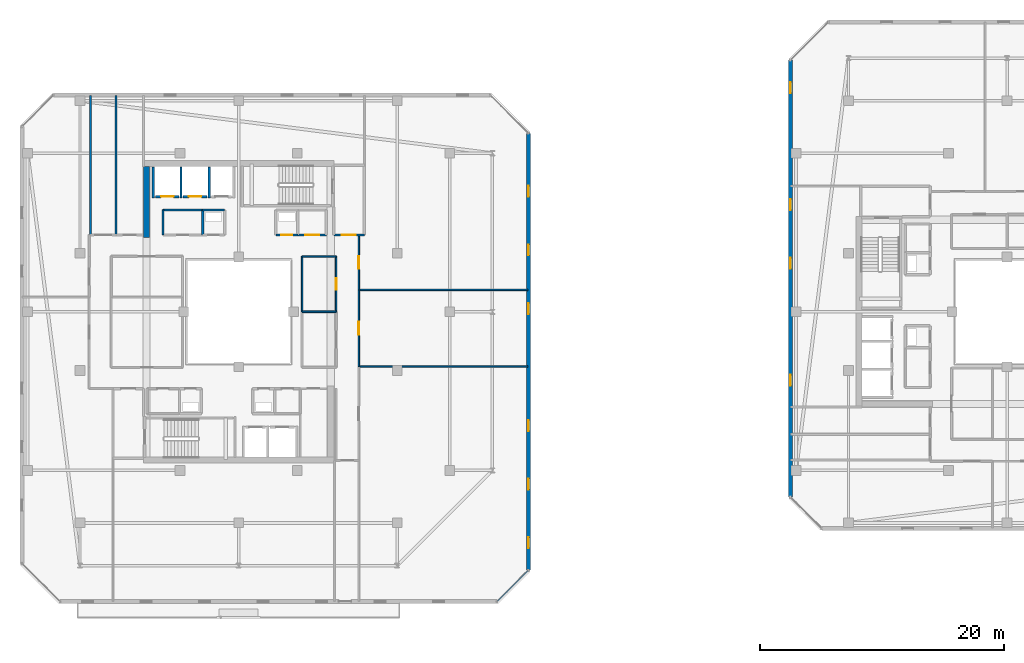
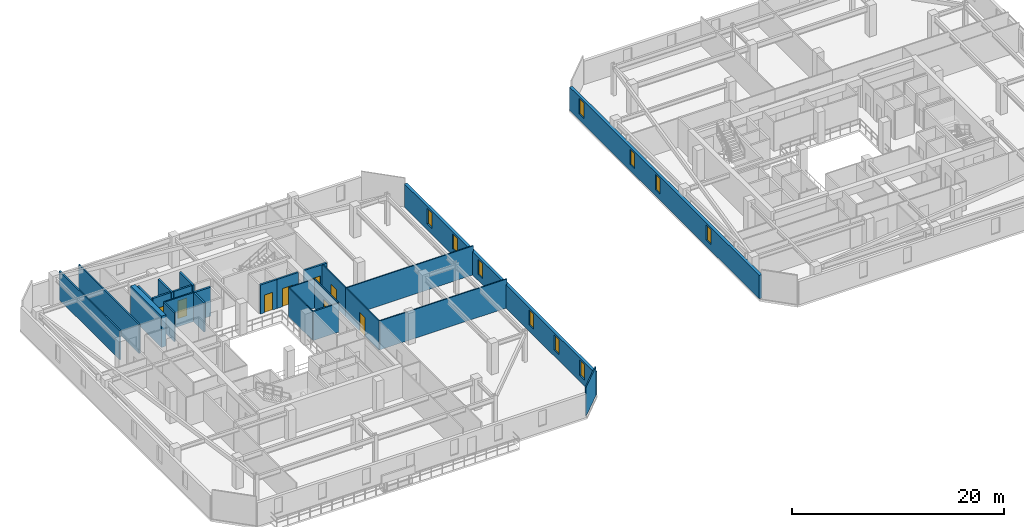
# One storey, part 23 of 35: 26 walls, 10 windows, 8 doors, 18 openings.
"""IFC4 building model written with IfcOpenShell, lengths in metres."""

from ifc_helpers import new_model, si_unit, direction, frame, frame_2d, origin, place, context, subcontext, project, spatial, rectangle, extrude, material, layer, layer_set, type_object, element, fill, save


model = new_model("IFC4")

# Units and contexts
model_context = context("Model", 3, precision=1e-05, world=origin(), true_north=direction((0.0, 1.0)))
body_context = subcontext(model_context, "Body", "Model", "MODEL_VIEW")
ifc_project = project(units=[si_unit("LENGTHUNIT", "METRE"), si_unit("AREAUNIT", "SQUARE_METRE"), si_unit("VOLUMEUNIT", "CUBIC_METRE"), si_unit("PLANEANGLEUNIT", "RADIAN"), si_unit("MASSUNIT", "GRAM", prefix="KILO")], contexts=[model_context])

# Site, building, storey
site_placement = place(None, origin())
site = spatial("IfcSite", under=ifc_project, at=site_placement, CompositionType="ELEMENT")
building_placement = place(site_placement, origin())
building = spatial("IfcBuilding", under=site, at=building_placement, Name="Thornwick Lancets Civic Towers", CompositionType="ELEMENT")
storey_placement = place(building_placement, frame((0.0, 0.0, 269.10009765625)))
storey = spatial("IfcBuildingStorey", under=building, at=storey_placement, Name="L72", CompositionType="ELEMENT", Elevation=269.10009765625)

# Wall, opening, door
ifc_material_1 = material(Name="Concrete blockwork C40/50", Category="masonry")
ifc_layer_1 = layer(ifc_material_1, 0.199951171875, Name="Concrete blockwork C40/50")
ifc_layer_set_1 = layer_set([ifc_layer_1], Name="Concrete blockwork C40/50")
wall_type_1 = type_object("IfcWallType", Name="WALL_COMP_200", PredefinedType="STANDARD", material=ifc_layer_set_1)
wall_1_placement = place(storey_placement, frame((22.919921875, 36.449951171875, 0.0), z_axis=(0.0, 0.0, 1.0), x_axis=(-1.0, 0.0, 0.0)))
wall_1 = element("IfcWall", 1, at=wall_1_placement, inside=storey, type_object=wall_type_1, Name="L72 Hoistway Front Wall PL-AH2", PredefinedType="STANDARD", context=body_context, shape_type="SweptSolid", body=[
    extrude(rectangle(XDim=1.989990234375, YDim=0.199951171875, at=frame_2d((0.9951171875, 0.0))), origin(), (0.0, 0.0, 1.0), 3.33984375),
])
opening_1_placement = place(wall_1_placement, frame((0.485107421875, 0.0, 0.0)))
opening_1 = element("IfcOpeningElement", 2, at=opening_1_placement, cuts=wall_1, Name="Opening LD-PL-AH2", PredefinedType="OPENING", context=body_context, shape_type="SweptSolid", body=[
    extrude(rectangle(XDim=1.02001953125, YDim=2.06005859375, at=frame_2d((0.510009765625, 1.030029296875))), frame((0.0, 0.10986328125, 0.0), z_axis=(0.0, -1.0, 0.0), x_axis=(1.0, 0.0, 0.0)), (0.0, 0.0, 1.0), 0.219970703125),
])
ifc_material_2 = material(Name="Brushed bronze stainless steel", Category="steel")
door_type_1 = type_object("IfcDoorType", Name="DOOR_LIFT_SLIDE", OperationType="SLIDING_TO_LEFT", PredefinedType="DOOR", material=ifc_material_2)
door_1_placement = place(opening_1_placement, origin())
door_1 = element("IfcDoor", 3, at=door_1_placement, inside=storey, type_object=door_type_1, Name="L72 Sliding Lift Landing Door LD-PL-AH2", OperationType="SLIDING_TO_LEFT", OverallHeight=2.06005859375, OverallWidth=1.02001953125, PredefinedType="DOOR", context=body_context, shape_type="SweptSolid", body=[
    extrude(rectangle(XDim=1.02001953125, YDim=2.06005859375, at=frame_2d((0.510009765625, 1.030029296875))), frame((0.0, 0.02490234375, 0.0), z_axis=(0.0, -1.0, 0.0), x_axis=(1.0, 0.0, 0.0)), (0.0, 0.0, 1.0), 0.050048828125),
])
fill(opening_1, door_1)

wall_2_placement = place(storey_placement, frame((20.6201171875, 36.449951171875, 0.0), z_axis=(0.0, 0.0, 1.0), x_axis=(-1.0, 0.0, 0.0)))
wall_2 = element("IfcWall", 4, at=wall_2_placement, inside=storey, type_object=wall_type_1, Name="L72 Hoistway Front Wall PL-AH3", PredefinedType="STANDARD", context=body_context, shape_type="SweptSolid", body=[
    extrude(rectangle(XDim=1.940185546875, YDim=0.199951171875, at=frame_2d((0.97021484375, 0.0))), origin(), (0.0, 0.0, 1.0), 3.33984375),
])
opening_2_placement = place(wall_2_placement, frame((0.4599609375, 0.0, 0.0)))
opening_2 = element("IfcOpeningElement", 5, at=opening_2_placement, cuts=wall_2, Name="Opening LD-PL-AH3", PredefinedType="OPENING", context=body_context, shape_type="SweptSolid", body=[
    extrude(rectangle(XDim=1.02001953125, YDim=2.06005859375, at=frame_2d((0.510009765625, 1.030029296875))), frame((0.0, 0.10986328125, 0.0), z_axis=(0.0, -1.0, 0.0), x_axis=(1.0, 0.0, 0.0)), (0.0, 0.0, 1.0), 0.219970703125),
])
door_2_placement = place(opening_2_placement, origin())
door_2 = element("IfcDoor", 6, at=door_2_placement, inside=storey, type_object=door_type_1, Name="L72 Sliding Lift Landing Door LD-PL-AH3", OperationType="SLIDING_TO_LEFT", OverallHeight=2.06005859375, OverallWidth=1.02001953125, PredefinedType="DOOR", context=body_context, shape_type="SweptSolid", body=[
    extrude(rectangle(XDim=1.02001953125, YDim=2.06005859375, at=frame_2d((0.510009765625, 1.030029296875))), frame((0.0, 0.02490234375, 0.0), z_axis=(0.0, -1.0, 0.0), x_axis=(1.0, 0.0, 0.0)), (0.0, 0.0, 1.0), 0.050048828125),
])
fill(opening_2, door_2)

# Walls
for number, where, z_axis, x_axis, name in (
    (7, (23.10009765625, 36.35205078125, 0.0), (0.0, 0.0, 1.0), (0.0, 1.0, 0.0), "L72 Hoistway Shaft Wall FL-A2 W"),
    (8, (20.77490234375, 36.35205078125, 0.0), (0.0, 0.0, 1.0), (0.0, 1.0, 0.0), "L72 Hoistway Shaft Wall PL-AH2 W"),
    (9, (18.5, 36.35205078125, 0.0), (0.0, 0.0, 1.0), (0.0, 1.0, 0.0), "L72 Hoistway Shaft Wall PL-AH3 W"),
):
    element("IfcWall", number, at=place(storey_placement, frame(where, z_axis=z_axis, x_axis=x_axis)), inside=storey, type_object=wall_type_1, Name=name, PredefinedType="STANDARD", context=body_context, shape_type="SweptSolid", body=[
        extrude(rectangle(XDim=2.535888671875, YDim=0.199951171875, at=frame_2d((1.26806640625, 0.0))), origin(), (0.0, 0.0, 1.0), 3.33984375),
    ])

# Wall, opening, door
wall_3_placement = place(storey_placement, frame((33.300048828125, 33.300048828125, 0.0), z_axis=(0.0, 0.0, 1.0), x_axis=(1.0, 0.0, 0.0)))
wall_3 = element("IfcWall", 10, at=wall_3_placement, inside=storey, type_object=wall_type_1, Name="L72 Partition L72-A-FFLOB2 E1", PredefinedType="STANDARD", context=body_context, shape_type="SweptSolid", body=[
    extrude(rectangle(XDim=2.5, YDim=0.199951171875, at=frame_2d((1.25, 0.0))), origin(), (0.0, 0.0, 1.0), 3.33984375),
])
opening_3_placement = place(wall_3_placement, frame((0.659912109375, 0.0, 0.0)))
opening_3 = element("IfcOpeningElement", 11, at=opening_3_placement, cuts=wall_3, Name="Opening D-L72-3278", PredefinedType="OPENING", context=body_context, shape_type="SweptSolid", body=[
    extrude(rectangle(XDim=1.14990234375, YDim=2.10009765625, at=frame_2d((0.574951171875, 1.050048828125))), frame((0.0, 0.10986328125, 0.0), z_axis=(0.0, -1.0, 0.0), x_axis=(1.0, 0.0, 0.0)), (0.0, 0.0, 1.0), 0.219970703125),
])
ifc_material_3 = material(Name="Glazed fire-resisting steel", Category="steel")
door_type_2 = type_object("IfcDoorType", Name="DOOR_LOBBY_FD60", OperationType="NOTDEFINED", PredefinedType="DOOR", material=ifc_material_3)
door_3_placement = place(opening_3_placement, origin())
door_3 = element("IfcDoor", 12, at=door_3_placement, inside=storey, type_object=door_type_2, Name="L72 North Firefighting Lobby 2 Door", OperationType="SINGLE_SWING_LEFT", OverallHeight=2.10009765625, OverallWidth=1.14990234375, PredefinedType="DOOR", context=body_context, shape_type="SweptSolid", body=[
    extrude(rectangle(XDim=1.14990234375, YDim=2.10009765625, at=frame_2d((0.574951171875, 1.050048828125))), frame((0.0, 0.02490234375, 0.0), z_axis=(0.0, -1.0, 0.0), x_axis=(1.0, 0.0, 0.0)), (0.0, 0.0, 1.0), 0.050048828125),
])
fill(opening_3, door_3)

# Walls
wall_4_placement = place(storey_placement, frame((24.35009765625, 35.35009765625, 0.0), z_axis=(0.0, 0.0, 1.0), x_axis=(-1.0, 0.0, 0.0)))
element("IfcWall", 13, at=wall_4_placement, inside=storey, type_object=wall_type_1, Name="L72 Partition L72-A-DUCT2 E3", PredefinedType="STANDARD", context=body_context, shape_type="SweptSolid", body=[
    extrude(rectangle(XDim=1.800048828125, YDim=0.199951171875, at=frame_2d((0.89990234375, 0.0))), origin(), (0.0, 0.0, 1.0), 3.33984375),
])
wall_5_placement = place(storey_placement, frame((22.550048828125, 35.35009765625, 0.0), z_axis=(0.0, 0.0, 1.0), x_axis=(0.0, -1.0, 0.0)))
element("IfcWall", 14, at=wall_5_placement, inside=storey, type_object=wall_type_1, Name="L72 Partition L72-A-DUCT2 E4", PredefinedType="STANDARD", context=body_context, shape_type="SweptSolid", body=[
    extrude(rectangle(XDim=2.050048828125, YDim=0.199951171875, at=frame_2d((1.02490234375, 0.0))), origin(), (0.0, 0.0, 1.0), 3.33984375),
])

# Wall, opening, door
wall_6_placement = place(storey_placement, frame((28.550048828125, 33.300048828125, 0.0), z_axis=(0.0, 0.0, 1.0), x_axis=(1.0, 0.0, 0.0)))
wall_6 = element("IfcWall", 15, at=wall_6_placement, inside=storey, type_object=wall_type_1, Name="L72 Partition L72-A-RISER2 E1", PredefinedType="STANDARD", context=body_context, shape_type="SweptSolid", body=[
    extrude(rectangle(XDim=1.800048828125, YDim=0.199951171875, at=frame_2d((0.89990234375, 0.0))), origin(), (0.0, 0.0, 1.0), 3.33984375),
])
opening_4_placement = place(wall_6_placement, frame((0.4599609375, 0.0, 0.0)))
opening_4 = element("IfcOpeningElement", 16, at=opening_4_placement, cuts=wall_6, Name="Opening D-L72-3282", PredefinedType="OPENING", context=body_context, shape_type="SweptSolid", body=[
    extrude(rectangle(XDim=0.8798828125, YDim=2.0400390625, at=frame_2d((0.43994140625, 1.02001953125))), frame((0.0, 0.10986328125, 0.0), z_axis=(0.0, -1.0, 0.0), x_axis=(1.0, 0.0, 0.0)), (0.0, 0.0, 1.0), 0.219970703125),
])
ifc_material_4 = material(Name="Steel riser access doorset", Category="steel")
door_type_3 = type_object("IfcDoorType", Name="DOOR_RISER_850", OperationType="NOTDEFINED", PredefinedType="DOOR", material=ifc_material_4)
door_4_placement = place(opening_4_placement, origin())
door_4 = element("IfcDoor", 17, at=door_4_placement, inside=storey, type_object=door_type_3, Name="L72 North Service Riser 2 Door", OperationType="SINGLE_SWING_LEFT", OverallHeight=2.0400390625, OverallWidth=0.8798828125, PredefinedType="DOOR", context=body_context, shape_type="SweptSolid", body=[
    extrude(rectangle(XDim=0.8798828125, YDim=2.0400390625, at=frame_2d((0.43994140625, 1.02001953125))), frame((0.0, 0.02490234375, 0.0), z_axis=(0.0, -1.0, 0.0), x_axis=(1.0, 0.0, 0.0)), (0.0, 0.0, 1.0), 0.050048828125),
])
fill(opening_4, door_4)

wall_7_placement = place(storey_placement, frame((32.699951171875, 33.300048828125, 0.0), z_axis=(0.0, 0.0, 1.0), x_axis=(-1.0, 0.0, 0.0)))
wall_7 = element("IfcWall", 18, at=wall_7_placement, inside=storey, type_object=wall_type_1, Name="L72 Partition L72-A-STR E2", PredefinedType="STANDARD", context=body_context, shape_type="SweptSolid", body=[
    extrude(rectangle(XDim=2.349853515625, YDim=0.199951171875, at=frame_2d((1.1748046875, 0.0))), origin(), (0.0, 0.0, 1.0), 3.33984375),
])
opening_5_placement = place(wall_7_placement, frame((0.60009765625, 0.0, 0.0)))
opening_5 = element("IfcOpeningElement", 19, at=opening_5_placement, cuts=wall_7, Name="Opening D-L72-3287", PredefinedType="OPENING", context=body_context, shape_type="SweptSolid", body=[
    extrude(rectangle(XDim=1.14990234375, YDim=2.10009765625, at=frame_2d((0.574951171875, 1.050048828125))), frame((0.0, 0.10986328125, 0.0), z_axis=(0.0, -1.0, 0.0), x_axis=(1.0, 0.0, 0.0)), (0.0, 0.0, 1.0), 0.219970703125),
])
door_5_placement = place(opening_5_placement, origin())
door_5 = element("IfcDoor", 20, at=door_5_placement, inside=storey, type_object=door_type_2, Name="L72 Tower A Core Equipment Store Door", OperationType="SINGLE_SWING_RIGHT", OverallHeight=2.10009765625, OverallWidth=1.14990234375, PredefinedType="DOOR", context=body_context, shape_type="SweptSolid", body=[
    extrude(rectangle(XDim=1.14990234375, YDim=2.10009765625, at=frame_2d((0.574951171875, 1.050048828125))), frame((0.0, 0.02490234375, 0.0), z_axis=(0.0, -1.0, 0.0), x_axis=(1.0, 0.0, 0.0)), (0.0, 0.0, 1.0), 0.050048828125),
])
fill(opening_5, door_5)

# Wall
ifc_material_5 = material(Name="Concrete C50/60", Category="concrete")
ifc_layer_2 = layer(ifc_material_5, 0.5, Name="Concrete C50/60")
ifc_layer_set_2 = layer_set([ifc_layer_2], Name="Concrete C50/60")
wall_type_2 = type_object("IfcWallType", Name="WALL_CORE_500", PredefinedType="SHEAR", material=ifc_layer_set_2)
wall_8_placement = place(storey_placement, frame((17.949951171875, 33.10009765625, 0.0), z_axis=(0.0, 0.0, 1.0), x_axis=(0.0, 1.0, 0.0)))
element("IfcWall", 21, at=wall_8_placement, inside=storey, type_object=wall_type_2, Name="L72 Split Core A2 Shear Wall W", PredefinedType="SHEAR", context=body_context, shape_type="SweptSolid", body=[
    extrude(rectangle(XDim=5.7998046875, YDim=0.5, at=frame_2d((2.89990234375, 0.0))), origin(), (0.0, 0.0, 1.0), 3.599853515625),
])

# Wall, openings, windows
ifc_material_6 = material(Name="Insulated buff terracotta rainscreen on concrete C40/50", Category="masonry")
ifc_layer_3 = layer(ifc_material_6, 0.320068359375, Name="Insulated buff terracotta rainscreen on concrete C40/50")
ifc_layer_set_3 = layer_set([ifc_layer_3], Name="Insulated buff terracotta rainscreen on concrete C40/50")
wall_type_3 = type_object("IfcWallType", Name="WALL_EXT_TERRA_320", PredefinedType="STANDARD", material=ifc_layer_set_3)
wall_9_placement = place(storey_placement, frame((49.2646484375, 5.818603515625, 0.0), z_axis=(0.0, 0.0, 1.0), x_axis=(-5.4540124e-05, 0.999999998513, 0.0)))
wall_9 = element("IfcWall", 22, at=wall_9_placement, inside=storey, type_object=wall_type_3, Name="L72 Tower A Terracotta Facade Wall E2", PredefinedType="STANDARD", context=body_context, shape_type="SweptSolid", body=[
    extrude(rectangle(XDim=35.810791015625, YDim=0.320068359375, at=frame_2d((17.9052734375, 0.0))), origin(), (0.0, 0.0, 1.0), 2.699951171875),
])
opening_6_placement = place(wall_9_placement, frame((1.800048828125, 0.0, 0.719970703125)))
opening_6 = element("IfcOpeningElement", 23, at=opening_6_placement, cuts=wall_9, Name="Opening WL-01", PredefinedType="OPENING", context=body_context, shape_type="SweptSolid", body=[
    extrude(rectangle(XDim=0.89990234375, YDim=1.75, at=frame_2d((0.449951171875, 0.875))), frame((0.0, 0.169921875, 0.0), z_axis=(0.0, -1.0, 0.0), x_axis=(1.0, 0.0, 0.0)), (0.0, 0.0, 1.0), 0.340087890625),
])
opening_7_placement = place(wall_9_placement, frame((6.60009765625, 0.0, 0.719970703125)))
opening_7 = element("IfcOpeningElement", 24, at=opening_7_placement, cuts=wall_9, Name="Opening WL-01", PredefinedType="OPENING", context=body_context, shape_type="SweptSolid", body=[
    extrude(rectangle(XDim=0.89990234375, YDim=1.75, at=frame_2d((0.449951171875, 0.875))), frame((0.0, 0.169921875, 0.0), z_axis=(0.0, -1.0, 0.0), x_axis=(1.0, 0.0, 0.0)), (0.0, 0.0, 1.0), 0.340087890625),
])
opening_8_placement = place(wall_9_placement, frame((11.39990234375, 0.0, 0.719970703125)))
opening_8 = element("IfcOpeningElement", 25, at=opening_8_placement, cuts=wall_9, Name="Opening WL-01", PredefinedType="OPENING", context=body_context, shape_type="SweptSolid", body=[
    extrude(rectangle(XDim=0.89990234375, YDim=1.75, at=frame_2d((0.449951171875, 0.875))), frame((0.0, 0.169921875, 0.0), z_axis=(0.0, -1.0, 0.0), x_axis=(1.0, 0.0, 0.0)), (0.0, 0.0, 1.0), 0.340087890625),
])
opening_9_placement = place(wall_9_placement, frame((21.0, 0.0, 0.719970703125)))
opening_9 = element("IfcOpeningElement", 26, at=opening_9_placement, cuts=wall_9, Name="Opening WL-01", PredefinedType="OPENING", context=body_context, shape_type="SweptSolid", body=[
    extrude(rectangle(XDim=0.89990234375, YDim=1.75, at=frame_2d((0.449951171875, 0.875))), frame((0.0, 0.169921875, 0.0), z_axis=(0.0, -1.0, 0.0), x_axis=(1.0, 0.0, 0.0)), (0.0, 0.0, 1.0), 0.340087890625),
])
opening_10_placement = place(wall_9_placement, frame((25.800048828125, 0.0, 0.719970703125)))
opening_10 = element("IfcOpeningElement", 27, at=opening_10_placement, cuts=wall_9, Name="Opening WL-01", PredefinedType="OPENING", context=body_context, shape_type="SweptSolid", body=[
    extrude(rectangle(XDim=0.89990234375, YDim=1.75, at=frame_2d((0.449951171875, 0.875))), frame((0.0, 0.169921875, 0.0), z_axis=(0.0, -1.0, 0.0), x_axis=(1.0, 0.0, 0.0)), (0.0, 0.0, 1.0), 0.340087890625),
])
opening_11_placement = place(wall_9_placement, frame((30.60009765625, 0.0, 0.719970703125)))
opening_11 = element("IfcOpeningElement", 28, at=opening_11_placement, cuts=wall_9, Name="Opening WL-01", PredefinedType="OPENING", context=body_context, shape_type="SweptSolid", body=[
    extrude(rectangle(XDim=0.89990234375, YDim=1.75, at=frame_2d((0.449951171875, 0.875))), frame((0.0, 0.169921875, 0.0), z_axis=(0.0, -1.0, 0.0), x_axis=(1.0, 0.0, 0.0)), (0.0, 0.0, 1.0), 0.340087890625),
])
ifc_material_7 = material(Name="Clear low-e double glazing in bronze frame", Category="glass")
window_type = type_object("IfcWindowType", Name="WIN_LANCET_900", PartitioningType="SINGLE_PANEL", PredefinedType="WINDOW", material=ifc_material_7)
window_1_placement = place(opening_6_placement, origin())
window_1 = element("IfcWindow", 29, at=window_1_placement, inside=storey, type_object=window_type, Name="L72 Tower A Staggered Lancet Window E2-1", OverallHeight=1.75, OverallWidth=0.89990234375, PartitioningType="SINGLE_PANEL", PredefinedType="WINDOW", context=body_context, shape_type="SweptSolid", body=[
    extrude(rectangle(XDim=0.89990234375, YDim=1.75, at=frame_2d((0.449951171875, 0.875))), frame((0.0, 0.030029296875, 0.0), z_axis=(0.0, -1.0, 0.0), x_axis=(1.0, 0.0, 0.0)), (0.0, 0.0, 1.0), 0.06005859375),
])
fill(opening_6, window_1)
window_2_placement = place(opening_7_placement, origin())
window_2 = element("IfcWindow", 30, at=window_2_placement, inside=storey, type_object=window_type, Name="L72 Tower A Staggered Lancet Window E2-2", OverallHeight=1.75, OverallWidth=0.89990234375, PartitioningType="SINGLE_PANEL", PredefinedType="WINDOW", context=body_context, shape_type="SweptSolid", body=[
    extrude(rectangle(XDim=0.89990234375, YDim=1.75, at=frame_2d((0.449951171875, 0.875))), frame((0.0, 0.030029296875, 0.0), z_axis=(0.0, -1.0, 0.0), x_axis=(1.0, 0.0, 0.0)), (0.0, 0.0, 1.0), 0.06005859375),
])
fill(opening_7, window_2)
window_3_placement = place(opening_8_placement, origin())
window_3 = element("IfcWindow", 31, at=window_3_placement, inside=storey, type_object=window_type, Name="L72 Tower A Staggered Lancet Window E2-3", OverallHeight=1.75, OverallWidth=0.89990234375, PartitioningType="SINGLE_PANEL", PredefinedType="WINDOW", context=body_context, shape_type="SweptSolid", body=[
    extrude(rectangle(XDim=0.89990234375, YDim=1.75, at=frame_2d((0.449951171875, 0.875))), frame((0.0, 0.030029296875, 0.0), z_axis=(0.0, -1.0, 0.0), x_axis=(1.0, 0.0, 0.0)), (0.0, 0.0, 1.0), 0.06005859375),
])
fill(opening_8, window_3)
window_4_placement = place(opening_9_placement, origin())
window_4 = element("IfcWindow", 32, at=window_4_placement, inside=storey, type_object=window_type, Name="L72 Tower A Staggered Lancet Window E2-4", OverallHeight=1.75, OverallWidth=0.89990234375, PartitioningType="SINGLE_PANEL", PredefinedType="WINDOW", context=body_context, shape_type="SweptSolid", body=[
    extrude(rectangle(XDim=0.89990234375, YDim=1.75, at=frame_2d((0.449951171875, 0.875))), frame((0.0, 0.030029296875, 0.0), z_axis=(0.0, -1.0, 0.0), x_axis=(1.0, 0.0, 0.0)), (0.0, 0.0, 1.0), 0.06005859375),
])
fill(opening_9, window_4)
window_5_placement = place(opening_10_placement, origin())
window_5 = element("IfcWindow", 33, at=window_5_placement, inside=storey, type_object=window_type, Name="L72 Tower A Staggered Lancet Window E2-5", OverallHeight=1.75, OverallWidth=0.89990234375, PartitioningType="SINGLE_PANEL", PredefinedType="WINDOW", context=body_context, shape_type="SweptSolid", body=[
    extrude(rectangle(XDim=0.89990234375, YDim=1.75, at=frame_2d((0.449951171875, 0.875))), frame((0.0, 0.030029296875, 0.0), z_axis=(0.0, -1.0, 0.0), x_axis=(1.0, 0.0, 0.0)), (0.0, 0.0, 1.0), 0.06005859375),
])
fill(opening_10, window_5)
window_6_placement = place(opening_11_placement, origin())
window_6 = element("IfcWindow", 34, at=window_6_placement, inside=storey, type_object=window_type, Name="L72 Tower A Staggered Lancet Window E2-6", OverallHeight=1.75, OverallWidth=0.89990234375, PartitioningType="SINGLE_PANEL", PredefinedType="WINDOW", context=body_context, shape_type="SweptSolid", body=[
    extrude(rectangle(XDim=0.89990234375, YDim=1.75, at=frame_2d((0.449951171875, 0.875))), frame((0.0, 0.030029296875, 0.0), z_axis=(0.0, -1.0, 0.0), x_axis=(1.0, 0.0, 0.0)), (0.0, 0.0, 1.0), 0.06005859375),
])
fill(opening_11, window_6)

wall_10_placement = place(storey_placement, frame((70.7373046875, 47.62939453125, 0.0), z_axis=(0.0, 0.0, 1.0), x_axis=(-5.4540124e-05, -0.999999998513, 0.0)))
wall_10 = element("IfcWall", 35, at=wall_10_placement, inside=storey, type_object=wall_type_3, Name="L72 Tower B Terracotta Facade Wall E6", PredefinedType="STANDARD", context=body_context, shape_type="SweptSolid", body=[
    extrude(rectangle(XDim=35.810791015625, YDim=0.320068359375, at=frame_2d((17.9052734375, 0.0))), origin(), (0.0, 0.0, 1.0), 2.699951171875),
])
opening_12_placement = place(wall_10_placement, frame((1.800048828125, 0.0, 0.719970703125)))
opening_12 = element("IfcOpeningElement", 36, at=opening_12_placement, cuts=wall_10, Name="Opening WL-01", PredefinedType="OPENING", context=body_context, shape_type="SweptSolid", body=[
    extrude(rectangle(XDim=0.89990234375, YDim=1.75, at=frame_2d((0.449951171875, 0.875))), frame((0.0, 0.169921875, 0.0), z_axis=(0.0, -1.0, 0.0), x_axis=(1.0, 0.0, 0.0)), (0.0, 0.0, 1.0), 0.340087890625),
])
opening_13_placement = place(wall_10_placement, frame((11.39990234375, 0.0, 0.719970703125)))
opening_13 = element("IfcOpeningElement", 37, at=opening_13_placement, cuts=wall_10, Name="Opening WL-01", PredefinedType="OPENING", context=body_context, shape_type="SweptSolid", body=[
    extrude(rectangle(XDim=0.89990234375, YDim=1.75, at=frame_2d((0.449951171875, 0.875))), frame((0.0, 0.169921875, 0.0), z_axis=(0.0, -1.0, 0.0), x_axis=(1.0, 0.0, 0.0)), (0.0, 0.0, 1.0), 0.340087890625),
])
opening_14_placement = place(wall_10_placement, frame((16.199951171875, 0.0, 0.719970703125)))
opening_14 = element("IfcOpeningElement", 38, at=opening_14_placement, cuts=wall_10, Name="Opening WL-01", PredefinedType="OPENING", context=body_context, shape_type="SweptSolid", body=[
    extrude(rectangle(XDim=0.89990234375, YDim=1.75, at=frame_2d((0.449951171875, 0.875))), frame((0.0, 0.169921875, 0.0), z_axis=(0.0, -1.0, 0.0), x_axis=(1.0, 0.0, 0.0)), (0.0, 0.0, 1.0), 0.340087890625),
])
opening_15_placement = place(wall_10_placement, frame((25.800048828125, 0.0, 0.719970703125)))
opening_15 = element("IfcOpeningElement", 39, at=opening_15_placement, cuts=wall_10, Name="Opening WL-01", PredefinedType="OPENING", context=body_context, shape_type="SweptSolid", body=[
    extrude(rectangle(XDim=0.89990234375, YDim=1.75, at=frame_2d((0.449951171875, 0.875))), frame((0.0, 0.169921875, 0.0), z_axis=(0.0, -1.0, 0.0), x_axis=(1.0, 0.0, 0.0)), (0.0, 0.0, 1.0), 0.340087890625),
])
window_7_placement = place(opening_12_placement, origin())
window_7 = element("IfcWindow", 40, at=window_7_placement, inside=storey, type_object=window_type, Name="L72 Tower B Staggered Lancet Window E6-1", OverallHeight=1.75, OverallWidth=0.89990234375, PartitioningType="SINGLE_PANEL", PredefinedType="WINDOW", context=body_context, shape_type="SweptSolid", body=[
    extrude(rectangle(XDim=0.89990234375, YDim=1.75, at=frame_2d((0.449951171875, 0.875))), frame((0.0, 0.030029296875, 0.0), z_axis=(0.0, -1.0, 0.0), x_axis=(1.0, 0.0, 0.0)), (0.0, 0.0, 1.0), 0.06005859375),
])
fill(opening_12, window_7)
window_8_placement = place(opening_13_placement, origin())
window_8 = element("IfcWindow", 41, at=window_8_placement, inside=storey, type_object=window_type, Name="L72 Tower B Staggered Lancet Window E6-2", OverallHeight=1.75, OverallWidth=0.89990234375, PartitioningType="SINGLE_PANEL", PredefinedType="WINDOW", context=body_context, shape_type="SweptSolid", body=[
    extrude(rectangle(XDim=0.89990234375, YDim=1.75, at=frame_2d((0.449951171875, 0.875))), frame((0.0, 0.030029296875, 0.0), z_axis=(0.0, -1.0, 0.0), x_axis=(1.0, 0.0, 0.0)), (0.0, 0.0, 1.0), 0.06005859375),
])
fill(opening_13, window_8)
window_9_placement = place(opening_14_placement, origin())
window_9 = element("IfcWindow", 42, at=window_9_placement, inside=storey, type_object=window_type, Name="L72 Tower B Staggered Lancet Window E6-3", OverallHeight=1.75, OverallWidth=0.89990234375, PartitioningType="SINGLE_PANEL", PredefinedType="WINDOW", context=body_context, shape_type="SweptSolid", body=[
    extrude(rectangle(XDim=0.89990234375, YDim=1.75, at=frame_2d((0.449951171875, 0.875))), frame((0.0, 0.030029296875, 0.0), z_axis=(0.0, -1.0, 0.0), x_axis=(1.0, 0.0, 0.0)), (0.0, 0.0, 1.0), 0.06005859375),
])
fill(opening_14, window_9)
window_10_placement = place(opening_15_placement, origin())
window_10 = element("IfcWindow", 43, at=window_10_placement, inside=storey, type_object=window_type, Name="L72 Tower B Staggered Lancet Window E6-4", OverallHeight=1.75, OverallWidth=0.89990234375, PartitioningType="SINGLE_PANEL", PredefinedType="WINDOW", context=body_context, shape_type="SweptSolid", body=[
    extrude(rectangle(XDim=0.89990234375, YDim=1.75, at=frame_2d((0.449951171875, 0.875))), frame((0.0, 0.030029296875, 0.0), z_axis=(0.0, -1.0, 0.0), x_axis=(1.0, 0.0, 0.0)), (0.0, 0.0, 1.0), 0.06005859375),
])
fill(opening_15, window_10)

# Walls
ifc_material_8 = material(Name="Acoustic gypsum board partition")
ifc_layer_4 = layer(ifc_material_8, 0.1201171875, Name="Acoustic gypsum board partition")
ifc_layer_set_4 = layer_set([ifc_layer_4], Name="Acoustic gypsum board partition")
wall_type_4 = type_object("IfcWallType", Name="WALL_PART_120", PredefinedType="PARTITIONING", material=ifc_layer_set_4)
wall_11_placement = place(storey_placement, frame((35.35009765625, 22.5, 0.0), z_axis=(0.0, 0.0, 1.0), x_axis=(1.0, 0.0, 0.0)))
element("IfcWall", 44, at=wall_11_placement, inside=storey, type_object=wall_type_4, Name="L72 Partition L72-A-E1 E4", PredefinedType="PARTITIONING", context=body_context, shape_type="SweptSolid", body=[
    extrude(rectangle(XDim=13.869873046875, YDim=0.1201171875, at=frame_2d((6.93505859375, 0.0))), origin(), (0.0, 0.0, 1.0), 3.33984375),
])
wall_12_placement = place(storey_placement, frame((49.219970703125, 5.774658203125, 0.0), z_axis=(0.0, 0.0, 1.0), x_axis=(-0.707106781187, -0.707106781187, 0.0)))
element("IfcWall", 45, at=wall_12_placement, inside=storey, type_object=wall_type_4, Name="L72 Partition L72-A-E1 E6", PredefinedType="PARTITIONING", context=body_context, shape_type="SweptSolid", body=[
    extrude(rectangle(XDim=3.52783203125, YDim=0.1201171875, at=frame_2d((1.763916015625, 0.0))), origin(), (0.0, 0.0, 1.0), 3.33984375),
])

# Wall, opening, door
wall_13_placement = place(storey_placement, frame((35.35009765625, 22.5, 0.0), z_axis=(0.0, 0.0, 1.0), x_axis=(0.0, 1.0, 0.0)))
wall_13 = element("IfcWall", 46, at=wall_13_placement, inside=storey, type_object=wall_type_4, Name="L72 Partition L72-A-E2 E1", PredefinedType="PARTITIONING", context=body_context, shape_type="SweptSolid", body=[
    extrude(rectangle(XDim=6.300048828125, YDim=0.1201171875, at=frame_2d((3.14990234375, 0.0))), origin(), (0.0, 0.0, 1.0), 3.33984375),
])
opening_16_placement = place(wall_13_placement, frame((2.625, 0.0, 0.0)))
opening_16 = element("IfcOpeningElement", 47, at=opening_16_placement, cuts=wall_13, Name="Opening D-L72-3307", PredefinedType="OPENING", context=body_context, shape_type="SweptSolid", body=[
    extrude(rectangle(XDim=1.050048828125, YDim=2.10009765625, at=frame_2d((0.52490234375, 1.050048828125))), frame((0.0, 0.070068359375, 0.0), z_axis=(0.0, -1.0, 0.0), x_axis=(1.0, 0.0, 0.0)), (0.0, 0.0, 1.0), 0.14013671875),
])
ifc_material_9 = material(Name="Glazed European oak executive doorset")
door_type_4 = type_object("IfcDoorType", Name="DOOR_OFFICE_1050", OperationType="NOTDEFINED", PredefinedType="DOOR", material=ifc_material_9)
door_6_placement = place(opening_16_placement, origin())
door_6 = element("IfcDoor", 48, at=door_6_placement, inside=storey, type_object=door_type_4, Name="L72 Tower A Visitors Reception and Waiting Door", OperationType="SINGLE_SWING_RIGHT", OverallHeight=2.10009765625, OverallWidth=1.050048828125, PredefinedType="DOOR", context=body_context, shape_type="SweptSolid", body=[
    extrude(rectangle(XDim=1.050048828125, YDim=2.10009765625, at=frame_2d((0.52490234375, 1.050048828125))), frame((0.0, 0.02490234375, 0.0), z_axis=(0.0, -1.0, 0.0), x_axis=(1.0, 0.0, 0.0)), (0.0, 0.0, 1.0), 0.050048828125),
])
fill(opening_16, door_6)

# Wall
wall_14_placement = place(storey_placement, frame((35.35009765625, 28.800048828125, 0.0), z_axis=(0.0, 0.0, 1.0), x_axis=(1.0, 0.0, 0.0)))
element("IfcWall", 49, at=wall_14_placement, inside=storey, type_object=wall_type_4, Name="L72 Partition L72-A-E2 E2", PredefinedType="PARTITIONING", context=body_context, shape_type="SweptSolid", body=[
    extrude(rectangle(XDim=13.869873046875, YDim=0.1201171875, at=frame_2d((6.93505859375, 0.0))), origin(), (0.0, 0.0, 1.0), 3.33984375),
])

# Wall, opening, door
wall_15_placement = place(storey_placement, frame((35.35009765625, 28.800048828125, 0.0), z_axis=(0.0, 0.0, 1.0), x_axis=(0.0, 1.0, 0.0)))
wall_15 = element("IfcWall", 50, at=wall_15_placement, inside=storey, type_object=wall_type_4, Name="L72 Partition L72-A-E3 E8", PredefinedType="PARTITIONING", context=body_context, shape_type="SweptSolid", body=[
    extrude(rectangle(XDim=4.5, YDim=0.1201171875, at=frame_2d((2.25, 0.0))), origin(), (0.0, 0.0, 1.0), 3.33984375),
])
opening_17_placement = place(wall_15_placement, frame((1.72509765625, 0.0, 0.0)))
opening_17 = element("IfcOpeningElement", 51, at=opening_17_placement, cuts=wall_15, Name="Opening D-L72-3308", PredefinedType="OPENING", context=body_context, shape_type="SweptSolid", body=[
    extrude(rectangle(XDim=1.050048828125, YDim=2.10009765625, at=frame_2d((0.52490234375, 1.050048828125))), frame((0.0, 0.070068359375, 0.0), z_axis=(0.0, -1.0, 0.0), x_axis=(1.0, 0.0, 0.0)), (0.0, 0.0, 1.0), 0.14013671875),
])
door_7_placement = place(opening_17_placement, origin())
door_7 = element("IfcDoor", 52, at=door_7_placement, inside=storey, type_object=door_type_4, Name="L72 Tower A Civic Seminar Room Door", OperationType="SINGLE_SWING_LEFT", OverallHeight=2.10009765625, OverallWidth=1.050048828125, PredefinedType="DOOR", context=body_context, shape_type="SweptSolid", body=[
    extrude(rectangle(XDim=1.050048828125, YDim=2.10009765625, at=frame_2d((0.52490234375, 1.050048828125))), frame((0.0, 0.02490234375, 0.0), z_axis=(0.0, -1.0, 0.0), x_axis=(1.0, 0.0, 0.0)), (0.0, 0.0, 1.0), 0.050048828125),
])
fill(opening_17, door_7)

# Walls
wall_16_placement = place(storey_placement, frame((30.699951171875, 27.0, 0.0), z_axis=(0.0, 0.0, 1.0), x_axis=(0.0, 1.0, 0.0)))
element("IfcWall", 53, at=wall_16_placement, inside=storey, type_object=wall_type_4, Name="L72 Partition L72-A-E-ATR-2 E1", PredefinedType="PARTITIONING", context=body_context, shape_type="SweptSolid", body=[
    extrude(rectangle(XDim=4.550048828125, YDim=0.1201171875, at=frame_2d((2.27490234375, 0.0))), origin(), (0.0, 0.0, 1.0), 3.33984375),
])
wall_17_placement = place(storey_placement, frame((30.699951171875, 31.550048828125, 0.0), z_axis=(0.0, 0.0, 1.0), x_axis=(1.0, 0.0, 0.0)))
element("IfcWall", 54, at=wall_17_placement, inside=storey, type_object=wall_type_4, Name="L72 Partition L72-A-E-ATR-2 E2", PredefinedType="PARTITIONING", context=body_context, shape_type="SweptSolid", body=[
    extrude(rectangle(XDim=2.800048828125, YDim=0.1201171875, at=frame_2d((1.39990234375, 0.0))), origin(), (0.0, 0.0, 1.0), 3.33984375),
])

# Wall, opening, door
wall_18_placement = place(storey_placement, frame((33.5, 31.550048828125, 0.0), z_axis=(0.0, 0.0, 1.0), x_axis=(0.0, -1.0, 0.0)))
wall_18 = element("IfcWall", 55, at=wall_18_placement, inside=storey, type_object=wall_type_4, Name="L72 Partition L72-A-E-ATR-2 E3", PredefinedType="PARTITIONING", context=body_context, shape_type="SweptSolid", body=[
    extrude(rectangle(XDim=4.550048828125, YDim=0.1201171875, at=frame_2d((2.27490234375, 0.0))), origin(), (0.0, 0.0, 1.0), 3.33984375),
])
opening_18_placement = place(wall_18_placement, frame((1.800048828125, 0.0, 0.0)))
opening_18 = element("IfcOpeningElement", 56, at=opening_18_placement, cuts=wall_18, Name="Opening D-L72-3310", PredefinedType="OPENING", context=body_context, shape_type="SweptSolid", body=[
    extrude(rectangle(XDim=0.949951171875, YDim=2.10009765625, at=frame_2d((0.47509765625, 1.050048828125))), frame((0.0, 0.070068359375, 0.0), z_axis=(0.0, -1.0, 0.0), x_axis=(1.0, 0.0, 0.0)), (0.0, 0.0, 1.0), 0.14013671875),
])
ifc_material_10 = material(Name="European oak acoustic doorset")
door_type_5 = type_object("IfcDoorType", Name="DOOR_OFFICE_950", OperationType="NOTDEFINED", PredefinedType="DOOR", material=ifc_material_10)
door_8_placement = place(opening_18_placement, origin())
door_8 = element("IfcDoor", 57, at=door_8_placement, inside=storey, type_object=door_type_5, Name="L72 Tower A Atrium Research Suite Door", OperationType="SINGLE_SWING_LEFT", OverallHeight=2.10009765625, OverallWidth=0.949951171875, PredefinedType="DOOR", context=body_context, shape_type="SweptSolid", body=[
    extrude(rectangle(XDim=0.949951171875, YDim=2.10009765625, at=frame_2d((0.47509765625, 1.050048828125))), frame((0.0, 0.02490234375, 0.0), z_axis=(0.0, -1.0, 0.0), x_axis=(1.0, 0.0, 0.0)), (0.0, 0.0, 1.0), 0.050048828125),
])
fill(opening_18, door_8)

# Walls
ifc_material_11 = material(Name="Twin-stud acoustic gypsum board")
ifc_layer_5 = layer(ifc_material_11, 0.14990234375, Name="Twin-stud acoustic gypsum board")
ifc_layer_set_5 = layer_set([ifc_layer_5], Name="Twin-stud acoustic gypsum board")
wall_type_5 = type_object("IfcWallType", Name="WALL_PART_150", PredefinedType="PARTITIONING", material=ifc_layer_set_5)
wall_19_placement = place(storey_placement, frame((19.300048828125, 33.300048828125, 0.0), z_axis=(0.0, 0.0, 1.0), x_axis=(0.0, 1.0, 0.0)))
element("IfcWall", 58, at=wall_19_placement, inside=storey, type_object=wall_type_5, Name="L72 Partition L72-A-FWC E1", PredefinedType="PARTITIONING", context=body_context, shape_type="SweptSolid", body=[
    extrude(rectangle(XDim=2.050048828125, YDim=0.14990234375, at=frame_2d((1.02490234375, 0.0))), origin(), (0.0, 0.0, 1.0), 3.33984375),
])
wall_20_placement = place(storey_placement, frame((19.300048828125, 35.35009765625, 0.0), z_axis=(0.0, 0.0, 1.0), x_axis=(1.0, 0.0, 0.0)))
element("IfcWall", 59, at=wall_20_placement, inside=storey, type_object=wall_type_5, Name="L72 Partition L72-A-FWC E2", PredefinedType="PARTITIONING", context=body_context, shape_type="SweptSolid", body=[
    extrude(rectangle(XDim=3.25, YDim=0.14990234375, at=frame_2d((1.625, 0.0))), origin(), (0.0, 0.0, 1.0), 3.33984375),
])
for number, where, z_axis, x_axis, name in (
    (60, (13.35009765625, 33.300048828125, 0.0), (0.0, 0.0, 1.0), (0.0, 1.0, 0.0), "L72 Partition L72-A-RECLAIM-M1 E1"),
    (61, (15.449951171875, 44.719970703125, 0.0), (0.0, 0.0, 1.0), (0.0, -1.0, 0.0), "L72 Partition L72-A-RECLAIM-M1 E3"),
):
    element("IfcWall", number, at=place(storey_placement, frame(where, z_axis=z_axis, x_axis=x_axis)), inside=storey, type_object=wall_type_5, Name=name, PredefinedType="PARTITIONING", context=body_context, shape_type="SweptSolid", body=[
        extrude(rectangle(XDim=11.419921875, YDim=0.14990234375, at=frame_2d((5.7099609375, 0.0))), origin(), (0.0, 0.0, 1.0), 3.33984375),
    ])
wall_21_placement = place(storey_placement, frame((30.699951171875, 27.0, 0.0), z_axis=(0.0, 0.0, 1.0), x_axis=(1.0, 0.0, 0.0)))
element("IfcWall", 62, at=wall_21_placement, inside=storey, type_object=wall_type_5, Name="L72 Partition L72-A-E-ATR-1 E2", PredefinedType="PARTITIONING", context=body_context, shape_type="SweptSolid", body=[
    extrude(rectangle(XDim=2.800048828125, YDim=0.14990234375, at=frame_2d((1.39990234375, 0.0))), origin(), (0.0, 0.0, 1.0), 3.33984375),
])

save(model, "model.ifc")
